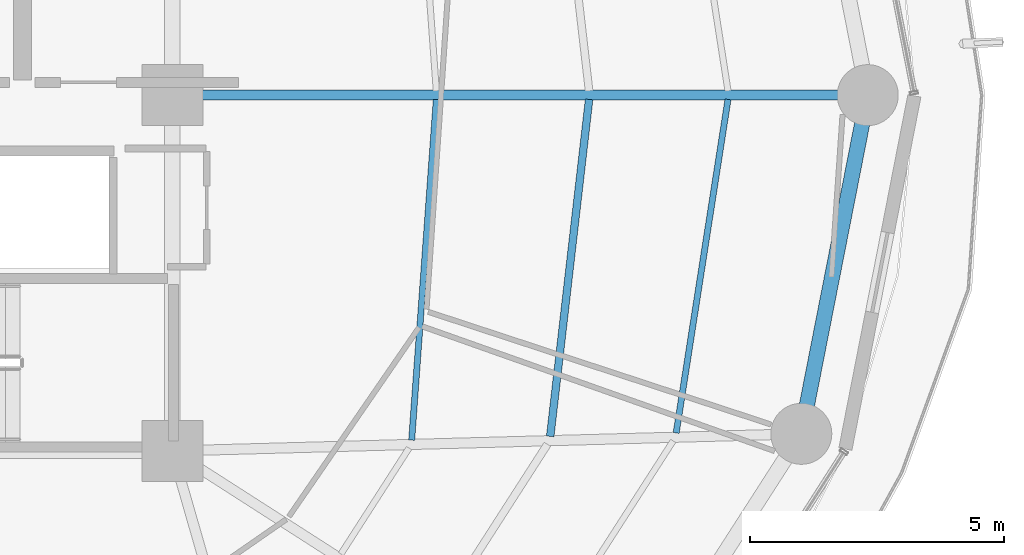
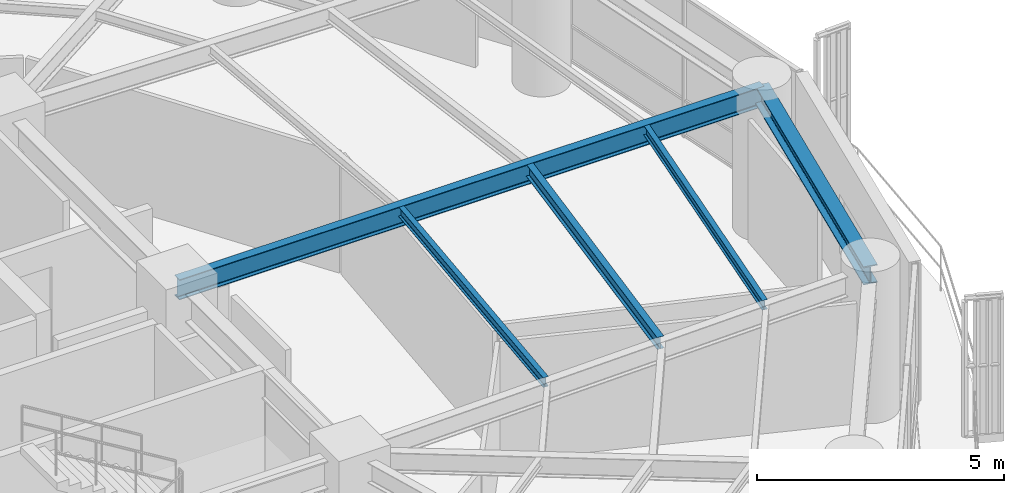
# One storey, part 12 of 28: 5 beams.
"""IFC4 building model written with IfcOpenShell, lengths in metres."""

import ifcopenshell
import ifcopenshell.guid

model = None  # the IFC model being written
_history = None  # IfcOwnerHistory: only IFC2X3 demands one
_inside = {}  # id of a spatial element -> (the spatial element, [elements in it])
_under = {}  # id of a project, library or spatial element -> (it, [spatial elements below it])
_declared = {}  # id of a project -> (the project, [libraries it declares])
_typed = {}  # id of a type object -> (the type object, [elements of that type])
_made_of = {}  # id of a material, layer set ... -> (it, [elements and type objects made of it])


def new_model(schema):
    """Start an empty IFC model of exactly this schema.

    Asked for "IFC4X3", IfcOpenShell would pick the latest addendum, in which some entities
    have other attributes; the version numbers below select the first issue.
    IFC2X3 requires an IfcOwnerHistory on every rooted entity: one is made here for all.
    """
    global model, _history
    if schema == "IFC4X3":
        model = ifcopenshell.file(schema_version=(4, 3, 0, 0))
    else:
        model = ifcopenshell.file(schema=schema)
    _inside.clear()
    _under.clear()
    _declared.clear()
    _typed.clear()
    _made_of.clear()
    _history = None
    if model.schema == "IFC2X3":
        org = make("IfcOrganization", Name="unknown")
        user = make(
            "IfcPersonAndOrganization",
            ThePerson=make("IfcPerson", FamilyName="unknown"),
            TheOrganization=org,
        )
        app = make(
            "IfcApplication",
            ApplicationDeveloper=org,
            Version="unknown",
            ApplicationFullName="unknown",
            ApplicationIdentifier="unknown",
        )
        _history = make(
            "IfcOwnerHistory",
            OwningUser=user,
            OwningApplication=app,
            ChangeAction="ADDED",
            CreationDate=0,
        )
    return model


def make(cls, **values):
    """One entity of the class cls with the attributes given. An attribute that is None is left unset."""
    return model.create_entity(
        cls, **{name: value for name, value in values.items() if value is not None}
    )


def rooted(cls, **values):
    """An entity with a GlobalId (a new one), such as an element, a storey or a relation."""
    return make(cls, GlobalId=ifcopenshell.guid.new(), OwnerHistory=_history, **values)


def si_unit(unit_type, name, prefix=None):
    """IfcSIUnit, for example si_unit("LENGTHUNIT", "METRE", prefix="MILLI")."""
    return make("IfcSIUnit", UnitType=unit_type, Prefix=prefix, Name=name)


def assignment(units):
    """IfcUnitAssignment: the units of a project."""
    return None if units is None else make("IfcUnitAssignment", Units=units)


def point(xyz):
    """IfcCartesianPoint."""
    return None if xyz is None else make("IfcCartesianPoint", Coordinates=xyz)


def direction(xyz):
    """IfcDirection."""
    return None if xyz is None else make("IfcDirection", DirectionRatios=xyz)


def frame(location, z_axis=None, x_axis=None):
    """IfcAxis2Placement3D, a coordinate frame: its origin and axes. An axis left out is left unset."""
    return make(
        "IfcAxis2Placement3D",
        Location=point(location),
        Axis=direction(z_axis),
        RefDirection=direction(x_axis),
    )


def frame_2d(location, x_axis=None):
    """IfcAxis2Placement2D, a coordinate frame in the plane: its origin and x axis."""
    return make(
        "IfcAxis2Placement2D", Location=point(location), RefDirection=direction(x_axis)
    )


def origin():
    """The frame at (0, 0, 0) with its axes left unset."""
    return frame((0.0, 0.0, 0.0))


def origin_2d():
    """The frame at (0, 0) in the plane with its x axis left unset."""
    return frame_2d((0.0, 0.0))


def place(relative_to, where):
    """IfcLocalPlacement: puts the frame where relative to a parent placement (None: the world)."""
    return make(
        "IfcLocalPlacement", PlacementRelTo=relative_to, RelativePlacement=where
    )


def context(
    kind, dimensions, precision=None, world=None, true_north=None, identifier=None
):
    """IfcGeometricRepresentationContext, for example the 3D "Model" context."""
    return make(
        "IfcGeometricRepresentationContext",
        ContextIdentifier=identifier,
        ContextType=kind,
        CoordinateSpaceDimension=dimensions,
        Precision=precision,
        WorldCoordinateSystem=world,
        TrueNorth=true_north,
    )


def subcontext(parent, identifier, kind, view, scale=None):
    """IfcGeometricRepresentationSubContext, for example "Body" below "Model"."""
    return make(
        "IfcGeometricRepresentationSubContext",
        ContextIdentifier=identifier,
        ContextType=kind,
        ParentContext=parent,
        TargetScale=scale,
        TargetView=view,
    )


def project(units=None, contexts=None):
    """IfcProject with its units and contexts."""
    return rooted(
        "IfcProject",
        Name="project",
        RepresentationContexts=contexts,
        UnitsInContext=assignment(units),
    )


def spatial(cls, under=None, at=None, **own):
    """A site, building, storey or space (cls), placed at a placement, below another one or the project."""
    s = rooted(cls, ObjectPlacement=at, **own)
    if under is not None:
        _under.setdefault(under.id(), (under, []))[1].append(s)
    return s


def profile(cls, at=None, kind="AREA", **sizes):
    """A parametric profile (cls). Its sizes go by their IFC names, for example OverallWidth=200.0."""
    return make(cls, ProfileType=kind, Position=at, **sizes)


def i_section(**sizes):
    """IfcIShapeProfileDef."""
    return profile("IfcIShapeProfileDef", **sizes)


def extrude(swept, where, along, depth):
    """IfcExtrudedAreaSolid: the profile swept, set in the frame where, extruded along a direction by depth."""
    return make(
        "IfcExtrudedAreaSolid",
        SweptArea=swept,
        Position=where,
        ExtrudedDirection=direction(along),
        Depth=depth,
    )


def shape(context_of_items, identifier, shape_type, items):
    """IfcShapeRepresentation: the items that make up one representation, for example the "Body"."""
    return make(
        "IfcShapeRepresentation",
        ContextOfItems=context_of_items,
        RepresentationIdentifier=identifier,
        RepresentationType=shape_type,
        Items=items,
    )


def material(Name=None, Category=None):
    """IfcMaterial."""
    return make("IfcMaterial", Name=Name, Category=Category)


def material_profile(
    of_material, cross_section, Name=None, Category=None, Priority=None
):
    """IfcMaterialProfile: a cross section and its material."""
    return make(
        "IfcMaterialProfile",
        Name=Name,
        Material=of_material,
        Profile=cross_section,
        Priority=Priority,
        Category=Category,
    )


def profile_set(profiles, Name=None, composite=None):
    """IfcMaterialProfileSet."""
    return make(
        "IfcMaterialProfileSet",
        Name=Name,
        MaterialProfiles=profiles,
        CompositeProfile=composite,
    )


def made_of(thing, what):
    """Note that an element or type object is made of a material, layer set ...; save() writes the relation."""
    if what is not None:
        _made_of.setdefault(what.id(), (what, []))[1].append(thing)
    return thing


def type_object(cls, material=None, **own):
    """A type object (cls), such as IfcWallType, which elements share."""
    return made_of(rooted(cls, **own), material)


def element(
    cls,
    number,
    at=None,
    inside=None,
    cuts=None,
    type_object=None,
    material=None,
    context=None,
    identifier="Body",
    shape_type=None,
    held_by="IfcProductDefinitionShape",
    body=None,
    shapes=None,
    **own,
):
    """One element of the class cls, such as IfcWall. Its Tag is "e" and its number.

    at: its placement. inside: the storey or other place that contains it. cuts: it is an
    opening in that element (IfcRelVoidsElement). A single representation is given by context,
    identifier, shape_type and body (its items); several are given by shapes. held_by: the class
    of the entity that holds the representations. save() writes the other relations.
    """
    e = rooted(cls, Tag="e%d" % number, ObjectPlacement=at, **own)
    if body is not None:
        shapes = [shape(context, identifier, shape_type, body)]
    if shapes is not None:
        e.Representation = make(held_by, Representations=shapes)
    if inside is not None:
        _inside.setdefault(inside.id(), (inside, []))[1].append(e)
    if cuts is not None:
        rooted(
            "IfcRelVoidsElement", RelatingBuildingElement=cuts, RelatedOpeningElement=e
        )
    if type_object is not None:
        _typed.setdefault(type_object.id(), (type_object, []))[1].append(e)
    return made_of(e, material)


def aggregate(whole, parts):
    """IfcRelAggregates: a whole, such as a stair, and the parts it consists of."""
    return rooted("IfcRelAggregates", RelatingObject=whole, RelatedObjects=parts)


def save(model, path):
    """Write the relations noted so far, then the file.

    IfcRelAggregates (storeys below a building ...), IfcRelContainedInSpatialStructure (elements
    in a storey), IfcRelDefinesByType, IfcRelAssociatesMaterial and IfcRelDeclares: one each for
    every whole, place, type object, material and project.
    """
    for whole, parts in _under.values():
        aggregate(whole, parts)
    for where, things in _inside.values():
        rooted(
            "IfcRelContainedInSpatialStructure",
            RelatedElements=things,
            RelatingStructure=where,
        )
    for kind, things in _typed.values():
        rooted("IfcRelDefinesByType", RelatedObjects=things, RelatingType=kind)
    for what, things in _made_of.values():
        rooted("IfcRelAssociatesMaterial", RelatedObjects=things, RelatingMaterial=what)
    for by, libraries in _declared.values():
        rooted("IfcRelDeclares", RelatingContext=by, RelatedDefinitions=libraries)
    model.write(path)


model = new_model("IFC4")

# Units and contexts
model_context = context("Model", 3, precision=1e-05, world=origin(), true_north=direction((0.0, 1.0)))
body_context = subcontext(model_context, "Body", "Model", "MODEL_VIEW")
ifc_project = project(units=[si_unit("LENGTHUNIT", "METRE"), si_unit("AREAUNIT", "SQUARE_METRE"), si_unit("VOLUMEUNIT", "CUBIC_METRE"), si_unit("PLANEANGLEUNIT", "RADIAN"), si_unit("MASSUNIT", "GRAM", prefix="KILO")], contexts=[model_context])

# Site, building, storey
site_placement = place(None, origin())
site = spatial("IfcSite", under=ifc_project, at=site_placement, CompositionType="ELEMENT")
building_placement = place(site_placement, origin())
building = spatial("IfcBuilding", under=site, at=building_placement, Name="Kelanora Arch Commons", CompositionType="ELEMENT")
storey_placement = place(building_placement, frame((0.0, 0.0, 180.60009765625)))
storey = spatial("IfcBuildingStorey", under=building, at=storey_placement, Name="L46", CompositionType="ELEMENT", Elevation=180.60009765625)

# Beams
ifc_material = material(Name="Steel S355", Category="steel")
ifc_material_profile_1 = material_profile(ifc_material, i_section(OverallWidth=0.14990234375, OverallDepth=0.300048828125, WebThickness=0.007080078125, FlangeThickness=0.0107421875, FilletRadius=0.014892578125, at=origin_2d()), Name="IPE300")
ifc_profile_set_1 = profile_set([ifc_material_profile_1], Name="Steel S355")
beam_type_1 = type_object("IfcBeamType", Name="BM-JST-01", PredefinedType="JOIST", material=ifc_profile_set_1)
beam_1_placement = place(storey_placement, frame((89.43310546875, 51.286865234375, 3.33984375), z_axis=(0.114667159005, 0.9934039675, 0.0), x_axis=(-0.9934039675, 0.114667159005, 0.0)))
element("IfcBeam", 1, at=beam_1_placement, inside=storey, type_object=beam_type_1, Name="Secondary Chord Joist BJB-34 L46", PredefinedType="JOIST", context=body_context, shape_type="SweptSolid", body=[
    extrude(i_section(OverallWidth=0.14990234375, OverallDepth=0.300048828125, WebThickness=0.007080078125, FlangeThickness=0.0107421875, FilletRadius=0.014892578125, at=origin_2d()), origin(), (0.0, 0.0, 1.0), 6.672607421875),
])
ifc_material_profile_2 = material_profile(ifc_material, i_section(OverallWidth=0.1201171875, OverallDepth=0.239990234375, WebThickness=0.006103515625, FlangeThickness=0.009765625, FilletRadius=0.014892578125, at=origin_2d()), Name="IPE240")
ifc_profile_set_2 = profile_set([ifc_material_profile_2], Name="Steel S355")
beam_type_2 = type_object("IfcBeamType", Name="BM-JST-02", PredefinedType="JOIST", material=ifc_profile_set_2)
beam_2_placement = place(storey_placement, frame((86.707763671875, 51.212890625, 3.369873046875), z_axis=(0.072117123738, 0.997396170267, 0.0), x_axis=(-0.997396170267, 0.072117123738, 0.0)))
element("IfcBeam", 2, at=beam_2_placement, inside=storey, type_object=beam_type_2, Name="Secondary Chord Joist BJA-34 L46", PredefinedType="JOIST", context=body_context, shape_type="SweptSolid", body=[
    extrude(i_section(OverallWidth=0.1201171875, OverallDepth=0.239990234375, WebThickness=0.006103515625, FlangeThickness=0.009765625, FilletRadius=0.014892578125, at=origin_2d()), origin(), (0.0, 0.0, 1.0), 6.719970703125),
])
beam_3_placement = place(storey_placement, frame((91.9111328125, 51.35400390625, 3.369873046875), z_axis=(0.153562625853, 0.988138917329, 0.0), x_axis=(-0.988138917329, 0.153562625853, 0.0)))
element("IfcBeam", 3, at=beam_3_placement, inside=storey, type_object=beam_type_2, Name="Secondary Chord Joist BJC-34 L46", PredefinedType="JOIST", context=body_context, shape_type="SweptSolid", body=[
    extrude(i_section(OverallWidth=0.1201171875, OverallDepth=0.239990234375, WebThickness=0.006103515625, FlangeThickness=0.009765625, FilletRadius=0.014892578125, at=origin_2d()), origin(), (0.0, 0.0, 1.0), 6.640869140625),
])
ifc_material_profile_3 = material_profile(ifc_material, i_section(OverallWidth=0.199951171875, OverallDepth=0.5, WebThickness=0.01025390625, FlangeThickness=0.01611328125, FilletRadius=0.02099609375, at=origin_2d()), Name="IPE500")
ifc_profile_set_3 = profile_set([ifc_material_profile_3], Name="Steel S355")
beam_type_3 = type_object("IfcBeamType", Name="BM-RAD-Z3", PredefinedType="BEAM", material=ifc_profile_set_3)
beam_4_placement = place(storey_placement, frame((82.0, 58.0, 3.239990234375), z_axis=(1.0, 0.0, 0.0), x_axis=(0.0, 1.0, 0.0)))
element("IfcBeam", 4, at=beam_4_placement, inside=storey, type_object=beam_type_3, Name="Radial Floor Girder BR-00 L46", PredefinedType="BEAM", context=body_context, shape_type="SweptSolid", body=[
    extrude(i_section(OverallWidth=0.199951171875, OverallDepth=0.5, WebThickness=0.01025390625, FlangeThickness=0.01611328125, FilletRadius=0.02099609375, at=origin_2d()), origin(), (0.0, 0.0, 1.0), 13.679931640625),
])
ifc_material_profile_4 = material_profile(ifc_material, i_section(OverallWidth=0.300048828125, OverallDepth=0.449951171875, WebThickness=0.013916015625, FlangeThickness=0.02587890625, FilletRadius=0.027099609375, at=origin_2d()), Name="HEB450")
ifc_profile_set_4 = profile_set([ifc_material_profile_4], Name="Steel S355")
beam_type_4 = type_object("IfcBeamType", Name="BM-SPN-Z3", PredefinedType="SPANDREL", material=ifc_profile_set_4)
beam_5_placement = place(storey_placement, frame((94.37255859375, 51.33740234375, 3.264892578125), z_axis=(0.192553643556, 0.981286448675, 0.0), x_axis=(-0.981286448675, 0.192553643556, 0.0)))
element("IfcBeam", 5, at=beam_5_placement, inside=storey, type_object=beam_type_4, Name="Perimeter Spandrel Beam BS-34 L46", PredefinedType="SPANDREL", context=body_context, shape_type="SweptSolid", body=[
    extrude(i_section(OverallWidth=0.300048828125, OverallDepth=0.449951171875, WebThickness=0.013916015625, FlangeThickness=0.02587890625, FilletRadius=0.027099609375, at=origin_2d()), origin(), (0.0, 0.0, 1.0), 6.78955078125),
])

save(model, "model.ifc")
